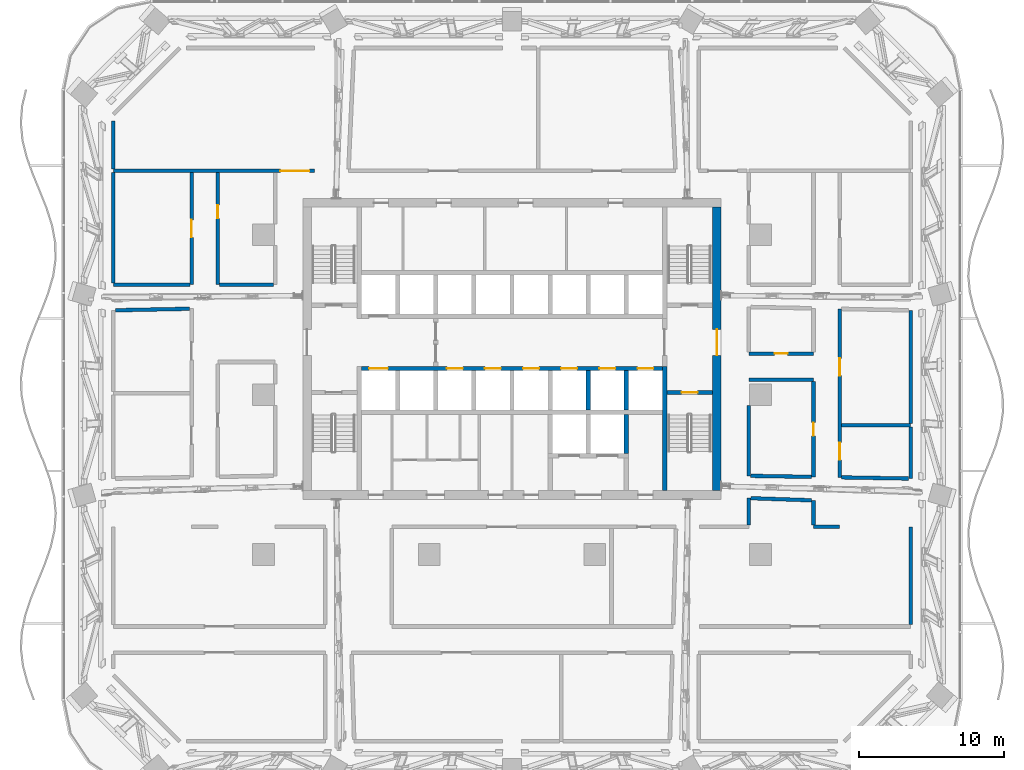
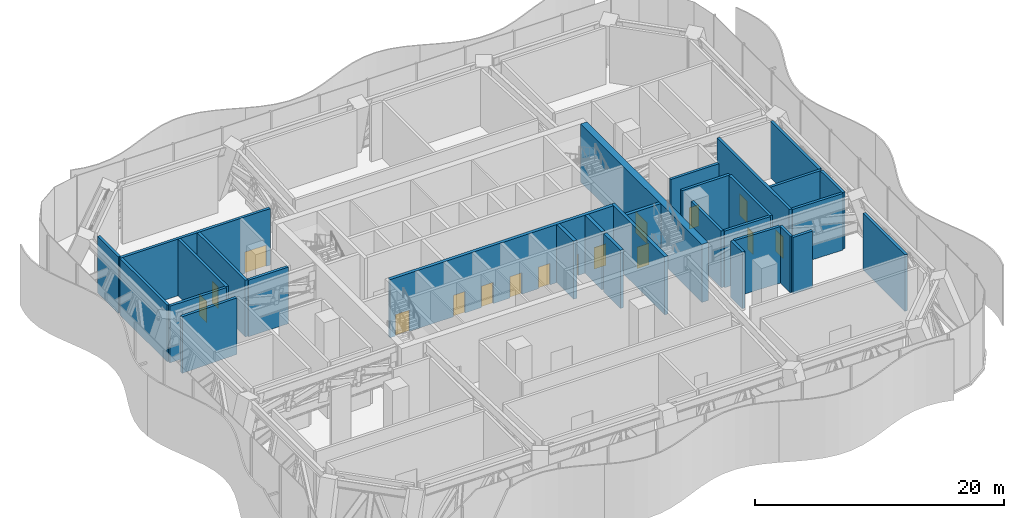
# One storey, part 12 of 32: 30 walls, 16 doors, 16 openings.
"""IFC4 building model written with IfcOpenShell, lengths in metres."""

from ifc_helpers import new_model, si_unit, direction, frame, frame_2d, origin, place, context, subcontext, project, spatial, rectangle, extrude, material, layer, layer_set, type_object, element, fill, save


model = new_model("IFC4")

# Units and contexts
model_context = context("Model", 3, precision=1e-05, world=origin(), true_north=direction((0.0, 1.0)))
body_context = subcontext(model_context, "Body", "Model", "MODEL_VIEW")
ifc_project = project(units=[si_unit("LENGTHUNIT", "METRE"), si_unit("AREAUNIT", "SQUARE_METRE"), si_unit("VOLUMEUNIT", "CUBIC_METRE"), si_unit("PLANEANGLEUNIT", "RADIAN"), si_unit("MASSUNIT", "GRAM", prefix="KILO")], contexts=[model_context])

# Site, building, storey
site_placement = place(None, origin())
site = spatial("IfcSite", under=ifc_project, at=site_placement, CompositionType="ELEMENT")
building_placement = place(site_placement, origin())
building = spatial("IfcBuilding", under=site, at=building_placement, Name="Mopane Tessera Tower", CompositionType="ELEMENT")
storey_placement = place(building_placement, frame((0.0, 0.0, 88.60009765625)))
storey = spatial("IfcBuildingStorey", under=building, at=storey_placement, Name="L17", CompositionType="ELEMENT", Elevation=88.60009765625)

# Wall, opening, door
ifc_material_1 = material(Name="Concrete C70/85", Category="concrete")
ifc_layer_1 = layer(ifc_material_1, 0.60009765625)
ifc_layer_set_1 = layer_set([ifc_layer_1], Name="Concrete C70/85")
wall_type_1 = type_object("IfcWallType", Name="Core shear wall 600 mm", PredefinedType="SHEAR", material=ifc_layer_set_1)
wall_1_placement = place(storey_placement, frame((14.10009765625, -6.60009765625, 0.0), z_axis=(0.0, 0.0, 1.0), x_axis=(0.0, 1.0, 0.0)))
wall_1 = element("IfcWall", 1, at=wall_1_placement, inside=storey, type_object=wall_type_1, Name="L17 Core wall east", PredefinedType="SHEAR", context=body_context, shape_type="SweptSolid", body=[
    extrude(rectangle(XDim=19.5, YDim=0.60009765625, at=frame_2d((9.75, 0.0))), origin(), (0.0, 0.0, 1.0), 5.699951171875),
])
opening_1_placement = place(wall_1_placement, frame((9.300048828125, 0.0, 0.0)))
opening_1 = element("IfcOpeningElement", 2, at=opening_1_placement, cuts=wall_1, Name="Opening SD2", PredefinedType="OPENING", context=body_context, shape_type="SweptSolid", body=[
    extrude(rectangle(XDim=1.800048828125, YDim=2.10009765625, at=frame_2d((0.89990234375, 1.050048828125))), frame((0.0, 0.31201171875, 0.0), z_axis=(0.0, -1.0, 0.0), x_axis=(1.0, 0.0, 0.0)), (0.0, 0.0, 1.0), 0.6240234375),
])
ifc_material_2 = material(Name="Steel fire door", Category="steel")
door_type_1 = type_object("IfcDoorType", Name="Core entrance double door 1800 x 2100", OperationType="DOUBLE_DOOR_SINGLE_SWING", PredefinedType="DOOR", material=ifc_material_2)
door_1_placement = place(opening_1_placement, origin())
door_1 = element("IfcDoor", 3, at=door_1_placement, inside=storey, type_object=door_type_1, Name="L17 Core entrance door east", OperationType="DOUBLE_DOOR_SINGLE_SWING", OverallHeight=2.10009765625, OverallWidth=1.800048828125, PredefinedType="DOOR", context=body_context, shape_type="SweptSolid", body=[
    extrude(rectangle(XDim=1.800048828125, YDim=2.10009765625, at=frame_2d((0.89990234375, 1.050048828125))), frame((0.0, 0.02490234375, 0.0), z_axis=(0.0, -1.0, 0.0), x_axis=(1.0, 0.0, 0.0)), (0.0, 0.0, 1.0), 0.050048828125),
])
fill(opening_1, door_1)

# Wall
ifc_material_3 = material(Name="Concrete C60/75", Category="concrete")
ifc_layer_2 = layer(ifc_material_3, 0.300048828125)
ifc_layer_set_2 = layer_set([ifc_layer_2], Name="Concrete C60/75")
wall_type_2 = type_object("IfcWallType", Name="Core spine wall 300 mm", PredefinedType="SHEAR", material=ifc_layer_set_2)
wall_2_placement = place(storey_placement, frame((10.5, -6.60009765625, 0.0), z_axis=(0.0, 0.0, 1.0), x_axis=(0.0, 1.0, 0.0)))
element("IfcWall", 4, at=wall_2_placement, inside=storey, type_object=wall_type_2, Name="L17 Core spine wall", PredefinedType="SHEAR", context=body_context, shape_type="SweptSolid", body=[
    extrude(rectangle(XDim=8.550048828125, YDim=0.300048828125, at=frame_2d((4.27490234375, 0.0))), origin(), (0.0, 0.0, 1.0), 5.699951171875),
])

# Wall, opening, door
ifc_material_4 = material(Name="Concrete C50/60", Category="concrete")
ifc_layer_3 = layer(ifc_material_4, 0.300048828125)
ifc_layer_set_3 = layer_set([ifc_layer_3], Name="Concrete C50/60")
wall_type_3 = type_object("IfcWallType", Name="Lift and stair shaft wall 300 mm", PredefinedType="SOLIDWALL", material=ifc_layer_set_3)
wall_3_placement = place(storey_placement, frame((10.64990234375, 0.14990234375, 0.0), z_axis=(0.0, 0.0, 1.0), x_axis=(1.0, 0.0, 0.0)))
wall_3 = element("IfcWall", 5, at=wall_3_placement, inside=storey, type_object=wall_type_3, Name="L17 Stair enclosure wall", PredefinedType="SOLIDWALL", context=body_context, shape_type="SweptSolid", body=[
    extrude(rectangle(XDim=3.150146484375, YDim=0.300048828125, at=frame_2d((1.5751953125, 0.0))), origin(), (0.0, 0.0, 1.0), 5.699951171875),
])
opening_2_placement = place(wall_3_placement, frame((1.02490234375, 0.0, 0.0)))
opening_2 = element("IfcOpeningElement", 6, at=opening_2_placement, cuts=wall_3, Name="Opening SD1", PredefinedType="OPENING", context=body_context, shape_type="SweptSolid", body=[
    extrude(rectangle(XDim=1.10009765625, YDim=2.10009765625, at=frame_2d((0.550048828125, 1.050048828125))), frame((0.0, 0.162109375, 0.0), z_axis=(0.0, -1.0, 0.0), x_axis=(1.0, 0.0, 0.0)), (0.0, 0.0, 1.0), 0.323974609375),
])
ifc_material_5 = material(Name="Steel fire door", Category="steel")
door_type_2 = type_object("IfcDoorType", Name="Stair fire door 1100 x 2100", OperationType="SINGLE_SWING_LEFT", PredefinedType="DOOR", material=ifc_material_5)
door_2_placement = place(opening_2_placement, origin())
door_2 = element("IfcDoor", 7, at=door_2_placement, inside=storey, type_object=door_type_2, Name="L17 Stair door ST3", OperationType="SINGLE_SWING_RIGHT", OverallHeight=2.10009765625, OverallWidth=1.10009765625, PredefinedType="DOOR", context=body_context, shape_type="SweptSolid", body=[
    extrude(rectangle(XDim=1.10009765625, YDim=2.10009765625, at=frame_2d((0.550048828125, 1.050048828125))), frame((0.0, 0.02490234375, 0.0), z_axis=(0.0, -1.0, 0.0), x_axis=(1.0, 0.0, 0.0)), (0.0, 0.0, 1.0), 0.050048828125),
])
fill(opening_2, door_2)

# Wall, openings, doors
wall_4_placement = place(storey_placement, frame((-10.35009765625, 1.800048828125, 0.0), z_axis=(0.0, 0.0, 1.0), x_axis=(1.0, 0.0, 0.0)))
wall_4 = element("IfcWall", 8, at=wall_4_placement, inside=storey, type_object=wall_type_3, Name="L17 Lift shaft front wall", PredefinedType="SOLIDWALL", context=body_context, shape_type="SweptSolid", body=[
    extrude(rectangle(XDim=20.7001953125, YDim=0.300048828125, at=frame_2d((10.35009765625, 0.0))), origin(), (0.0, 0.0, 1.0), 5.699951171875),
])
opening_3_placement = place(wall_4_placement, frame((0.512451171875, 0.0, 0.0)))
opening_3 = element("IfcOpeningElement", 9, at=opening_3_placement, cuts=wall_4, Name="Opening LD2", PredefinedType="OPENING", context=body_context, shape_type="SweptSolid", body=[
    extrude(rectangle(XDim=1.300048828125, YDim=2.10009765625, at=frame_2d((0.64990234375, 1.050048828125))), frame((0.0, 0.162109375, 0.0), z_axis=(0.0, -1.0, 0.0), x_axis=(1.0, 0.0, 0.0)), (0.0, 0.0, 1.0), 0.323974609375),
])
opening_4_placement = place(wall_4_placement, frame((5.862548828125, 0.0, 0.0)))
opening_4 = element("IfcOpeningElement", 10, at=opening_4_placement, cuts=wall_4, Name="Opening LD", PredefinedType="OPENING", context=body_context, shape_type="SweptSolid", body=[
    extrude(rectangle(XDim=1.10009765625, YDim=2.10009765625, at=frame_2d((0.550048828125, 1.050048828125))), frame((0.0, 0.162109375, 0.0), z_axis=(0.0, -1.0, 0.0), x_axis=(1.0, 0.0, 0.0)), (0.0, 0.0, 1.0), 0.323974609375),
])
opening_5_placement = place(wall_4_placement, frame((8.487548828125, 0.0, 0.0)))
opening_5 = element("IfcOpeningElement", 11, at=opening_5_placement, cuts=wall_4, Name="Opening LD", PredefinedType="OPENING", context=body_context, shape_type="SweptSolid", body=[
    extrude(rectangle(XDim=1.10009765625, YDim=2.10009765625, at=frame_2d((0.550048828125, 1.050048828125))), frame((0.0, 0.162109375, 0.0), z_axis=(0.0, -1.0, 0.0), x_axis=(1.0, 0.0, 0.0)), (0.0, 0.0, 1.0), 0.323974609375),
])
opening_6_placement = place(wall_4_placement, frame((11.112548828125, 0.0, 0.0)))
opening_6 = element("IfcOpeningElement", 12, at=opening_6_placement, cuts=wall_4, Name="Opening LD", PredefinedType="OPENING", context=body_context, shape_type="SweptSolid", body=[
    extrude(rectangle(XDim=1.10009765625, YDim=2.10009765625, at=frame_2d((0.550048828125, 1.050048828125))), frame((0.0, 0.162109375, 0.0), z_axis=(0.0, -1.0, 0.0), x_axis=(1.0, 0.0, 0.0)), (0.0, 0.0, 1.0), 0.323974609375),
])
opening_7_placement = place(wall_4_placement, frame((13.737548828125, 0.0, 0.0)))
opening_7 = element("IfcOpeningElement", 13, at=opening_7_placement, cuts=wall_4, Name="Opening LD", PredefinedType="OPENING", context=body_context, shape_type="SweptSolid", body=[
    extrude(rectangle(XDim=1.10009765625, YDim=2.10009765625, at=frame_2d((0.550048828125, 1.050048828125))), frame((0.0, 0.162109375, 0.0), z_axis=(0.0, -1.0, 0.0), x_axis=(1.0, 0.0, 0.0)), (0.0, 0.0, 1.0), 0.323974609375),
])
opening_8_placement = place(wall_4_placement, frame((16.362548828125, 0.0, 0.0)))
opening_8 = element("IfcOpeningElement", 14, at=opening_8_placement, cuts=wall_4, Name="Opening LD", PredefinedType="OPENING", context=body_context, shape_type="SweptSolid", body=[
    extrude(rectangle(XDim=1.10009765625, YDim=2.10009765625, at=frame_2d((0.550048828125, 1.050048828125))), frame((0.0, 0.162109375, 0.0), z_axis=(0.0, -1.0, 0.0), x_axis=(1.0, 0.0, 0.0)), (0.0, 0.0, 1.0), 0.323974609375),
])
opening_9_placement = place(wall_4_placement, frame((18.987548828125, 0.0, 0.0)))
opening_9 = element("IfcOpeningElement", 15, at=opening_9_placement, cuts=wall_4, Name="Opening LD", PredefinedType="OPENING", context=body_context, shape_type="SweptSolid", body=[
    extrude(rectangle(XDim=1.10009765625, YDim=2.10009765625, at=frame_2d((0.550048828125, 1.050048828125))), frame((0.0, 0.162109375, 0.0), z_axis=(0.0, -1.0, 0.0), x_axis=(1.0, 0.0, 0.0)), (0.0, 0.0, 1.0), 0.323974609375),
])
ifc_material_6 = material(Name="Stainless steel sliding door", Category="steel")
door_type_3 = type_object("IfcDoorType", Name="Fire-fighting lift landing door 1300 x 2100", OperationType="DOUBLE_DOOR_SLIDING", PredefinedType="DOOR", material=ifc_material_6)
door_3_placement = place(opening_3_placement, origin())
door_3 = element("IfcDoor", 16, at=door_3_placement, inside=storey, type_object=door_type_3, Name="L17 Lift landing door FF1", OperationType="DOUBLE_DOOR_SLIDING", OverallHeight=2.10009765625, OverallWidth=1.300048828125, PredefinedType="DOOR", context=body_context, shape_type="SweptSolid", body=[
    extrude(rectangle(XDim=1.300048828125, YDim=2.10009765625, at=frame_2d((0.64990234375, 1.050048828125))), frame((0.0, 0.02490234375, 0.0), z_axis=(0.0, -1.0, 0.0), x_axis=(1.0, 0.0, 0.0)), (0.0, 0.0, 1.0), 0.050048828125),
])
fill(opening_3, door_3)
ifc_material_7 = material(Name="Stainless steel sliding door", Category="steel")
door_type_4 = type_object("IfcDoorType", Name="Lift landing door 1100 x 2100", OperationType="DOUBLE_DOOR_SLIDING", PredefinedType="DOOR", material=ifc_material_7)
door_4_placement = place(opening_4_placement, origin())
door_4 = element("IfcDoor", 17, at=door_4_placement, inside=storey, type_object=door_type_4, Name="L17 Lift landing door LR1", OperationType="DOUBLE_DOOR_SLIDING", OverallHeight=2.10009765625, OverallWidth=1.10009765625, PredefinedType="DOOR", context=body_context, shape_type="SweptSolid", body=[
    extrude(rectangle(XDim=1.10009765625, YDim=2.10009765625, at=frame_2d((0.550048828125, 1.050048828125))), frame((0.0, 0.02490234375, 0.0), z_axis=(0.0, -1.0, 0.0), x_axis=(1.0, 0.0, 0.0)), (0.0, 0.0, 1.0), 0.050048828125),
])
fill(opening_4, door_4)
door_5_placement = place(opening_5_placement, origin())
door_5 = element("IfcDoor", 18, at=door_5_placement, inside=storey, type_object=door_type_4, Name="L17 Lift landing door LR2", OperationType="DOUBLE_DOOR_SLIDING", OverallHeight=2.10009765625, OverallWidth=1.10009765625, PredefinedType="DOOR", context=body_context, shape_type="SweptSolid", body=[
    extrude(rectangle(XDim=1.10009765625, YDim=2.10009765625, at=frame_2d((0.550048828125, 1.050048828125))), frame((0.0, 0.02490234375, 0.0), z_axis=(0.0, -1.0, 0.0), x_axis=(1.0, 0.0, 0.0)), (0.0, 0.0, 1.0), 0.050048828125),
])
fill(opening_5, door_5)
door_6_placement = place(opening_6_placement, origin())
door_6 = element("IfcDoor", 19, at=door_6_placement, inside=storey, type_object=door_type_4, Name="L17 Lift landing door LR3", OperationType="DOUBLE_DOOR_SLIDING", OverallHeight=2.10009765625, OverallWidth=1.10009765625, PredefinedType="DOOR", context=body_context, shape_type="SweptSolid", body=[
    extrude(rectangle(XDim=1.10009765625, YDim=2.10009765625, at=frame_2d((0.550048828125, 1.050048828125))), frame((0.0, 0.02490234375, 0.0), z_axis=(0.0, -1.0, 0.0), x_axis=(1.0, 0.0, 0.0)), (0.0, 0.0, 1.0), 0.050048828125),
])
fill(opening_6, door_6)
door_7_placement = place(opening_7_placement, origin())
door_7 = element("IfcDoor", 20, at=door_7_placement, inside=storey, type_object=door_type_4, Name="L17 Lift landing door LR4", OperationType="DOUBLE_DOOR_SLIDING", OverallHeight=2.10009765625, OverallWidth=1.10009765625, PredefinedType="DOOR", context=body_context, shape_type="SweptSolid", body=[
    extrude(rectangle(XDim=1.10009765625, YDim=2.10009765625, at=frame_2d((0.550048828125, 1.050048828125))), frame((0.0, 0.02490234375, 0.0), z_axis=(0.0, -1.0, 0.0), x_axis=(1.0, 0.0, 0.0)), (0.0, 0.0, 1.0), 0.050048828125),
])
fill(opening_7, door_7)
door_8_placement = place(opening_8_placement, origin())
door_8 = element("IfcDoor", 21, at=door_8_placement, inside=storey, type_object=door_type_4, Name="L17 Lift landing door LR5", OperationType="DOUBLE_DOOR_SLIDING", OverallHeight=2.10009765625, OverallWidth=1.10009765625, PredefinedType="DOOR", context=body_context, shape_type="SweptSolid", body=[
    extrude(rectangle(XDim=1.10009765625, YDim=2.10009765625, at=frame_2d((0.550048828125, 1.050048828125))), frame((0.0, 0.02490234375, 0.0), z_axis=(0.0, -1.0, 0.0), x_axis=(1.0, 0.0, 0.0)), (0.0, 0.0, 1.0), 0.050048828125),
])
fill(opening_8, door_8)
door_9_placement = place(opening_9_placement, origin())
door_9 = element("IfcDoor", 22, at=door_9_placement, inside=storey, type_object=door_type_4, Name="L17 Lift landing door LR6", OperationType="DOUBLE_DOOR_SLIDING", OverallHeight=2.10009765625, OverallWidth=1.10009765625, PredefinedType="DOOR", context=body_context, shape_type="SweptSolid", body=[
    extrude(rectangle(XDim=1.10009765625, YDim=2.10009765625, at=frame_2d((0.550048828125, 1.050048828125))), frame((0.0, 0.02490234375, 0.0), z_axis=(0.0, -1.0, 0.0), x_axis=(1.0, 0.0, 0.0)), (0.0, 0.0, 1.0), 0.050048828125),
])
fill(opening_9, door_9)

# Walls
for number, where, z_axis, x_axis, name in (
    (23, (5.25, -1.050048828125, 0.0), (0.0, 0.0, 1.0), (0.0, 1.0, 0.0), "L17 Lift shaft wall"),
    (24, (7.875, -1.050048828125, 0.0), (0.0, 0.0, 1.0), (0.0, 1.0, 0.0), "L17 Lift shaft wall"),
    (25, (7.875, -4.050048828125, 0.0), (0.0, 0.0, 1.0), (0.0, 1.0, 0.0), "L17 Lift shaft wall"),
):
    element("IfcWall", number, at=place(storey_placement, frame(where, z_axis=z_axis, x_axis=x_axis)), inside=storey, type_object=wall_type_3, Name=name, PredefinedType="SOLIDWALL", context=body_context, shape_type="SweptSolid", body=[
        extrude(rectangle(XDim=2.699951171875, YDim=0.300048828125, at=frame_2d((1.35009765625, 0.0))), origin(), (0.0, 0.0, 1.0), 5.699951171875),
    ])
ifc_material_8 = material(Name="Plastered concrete blockwork C20/25", Category="masonry")
ifc_layer_4 = layer(ifc_material_8, 0.25)
ifc_layer_set_4 = layer_set([ifc_layer_4], Name="Plastered concrete blockwork C20/25")
wall_type_4 = type_object("IfcWallType", Name="Plastered blockwork wall 250, rated EI 120", PredefinedType="PARTITIONING", material=ifc_layer_set_4)
wall_5_placement = place(storey_placement, frame((20.75, -9.10009765625, 0.0), z_axis=(0.0, 0.0, 1.0), x_axis=(1.0, 0.0, 0.0)))
element("IfcWall", 26, at=wall_5_placement, inside=storey, type_object=wall_type_4, Name="Partition L17:015", PredefinedType="PARTITIONING", context=body_context, shape_type="SweptSolid", body=[
    extrude(rectangle(XDim=1.800048828125, YDim=0.25, at=frame_2d((0.89990234375, 0.0))), origin(), (0.0, 0.0, 1.0), 5.5498046875),
])
wall_6_placement = place(storey_placement, frame((22.675048828125, -2.10009765625, 0.0), z_axis=(0.0, 0.0, 1.0), x_axis=(1.0, 0.0, 0.0)))
element("IfcWall", 27, at=wall_6_placement, inside=storey, type_object=wall_type_4, Name="Partition L17:016", PredefinedType="PARTITIONING", context=body_context, shape_type="SweptSolid", body=[
    extrude(rectangle(XDim=4.7548828125, YDim=0.25, at=frame_2d((2.37744140625, 0.0))), origin(), (0.0, 0.0, 1.0), 5.5498046875),
])
wall_7_placement = place(storey_placement, frame((16.300048828125, 1.02490234375, 0.0), z_axis=(0.0, 0.0, 1.0), x_axis=(1.0, 0.0, 0.0)))
element("IfcWall", 28, at=wall_7_placement, inside=storey, type_object=wall_type_4, Name="Partition L17:018", PredefinedType="PARTITIONING", context=body_context, shape_type="SweptSolid", body=[
    extrude(rectangle(XDim=4.449951171875, YDim=0.25, at=frame_2d((2.22509765625, 0.0))), origin(), (0.0, 0.0, 1.0), 5.5498046875),
])

# Wall, opening, door
wall_8_placement = place(storey_placement, frame((16.300048828125, 2.824951171875, 0.0), z_axis=(0.0, 0.0, 1.0), x_axis=(1.0, 0.0, 0.0)))
wall_8 = element("IfcWall", 29, at=wall_8_placement, inside=storey, type_object=wall_type_4, Name="Partition L17:020", PredefinedType="PARTITIONING", context=body_context, shape_type="SweptSolid", body=[
    extrude(rectangle(XDim=4.449951171875, YDim=0.25, at=frame_2d((2.22509765625, 0.0))), origin(), (0.0, 0.0, 1.0), 5.5498046875),
])
opening_10_placement = place(wall_8_placement, frame((1.77490234375, 0.0, 0.0)))
opening_10 = element("IfcOpeningElement", 30, at=opening_10_placement, cuts=wall_8, Name="Opening L17-11", PredefinedType="OPENING", context=body_context, shape_type="SweptSolid", body=[
    extrude(rectangle(XDim=0.89990234375, YDim=2.10009765625, at=frame_2d((0.449951171875, 1.050048828125))), frame((0.0, 0.136962890625, 0.0), z_axis=(0.0, -1.0, 0.0), x_axis=(1.0, 0.0, 0.0)), (0.0, 0.0, 1.0), 0.27392578125),
])
ifc_material_9 = material(Name="Timber veneered steel-framed fire door", Category="steel")
door_type_5 = type_object("IfcDoorType", Name="Fire door FD120 900 x 2100", OperationType="SINGLE_SWING_LEFT", PredefinedType="DOOR", material=ifc_material_9)
door_10_placement = place(opening_10_placement, origin())
door_10 = element("IfcDoor", 31, at=door_10_placement, inside=storey, type_object=door_type_5, Name="Door L17-11", ObjectType="D10B", OperationType="SINGLE_SWING_LEFT", OverallHeight=2.10009765625, OverallWidth=0.89990234375, PredefinedType="DOOR", context=body_context, shape_type="SweptSolid", body=[
    extrude(rectangle(XDim=0.89990234375, YDim=2.10009765625, at=frame_2d((0.449951171875, 1.050048828125))), frame((0.0, 0.02490234375, 0.0), z_axis=(0.0, -1.0, 0.0), x_axis=(1.0, 0.0, 0.0)), (0.0, 0.0, 1.0), 0.050048828125),
])
fill(opening_10, door_10)

# Walls
wall_9_placement = place(storey_placement, frame((-27.429931640625, 7.574951171875, 0.0), z_axis=(0.0, 0.0, 1.0), x_axis=(1.0, 0.0, 0.0)))
element("IfcWall", 32, at=wall_9_placement, inside=storey, type_object=wall_type_4, Name="Partition L17:021", PredefinedType="PARTITIONING", context=body_context, shape_type="SweptSolid", body=[
    extrude(rectangle(XDim=5.2548828125, YDim=0.25, at=frame_2d((2.62744140625, 0.0))), origin(), (0.0, 0.0, 1.0), 5.5498046875),
])
wall_10_placement = place(storey_placement, frame((-20.125, 7.574951171875, 0.0), z_axis=(0.0, 0.0, 1.0), x_axis=(1.0, 0.0, 0.0)))
element("IfcWall", 33, at=wall_10_placement, inside=storey, type_object=wall_type_4, Name="Partition L17:022", PredefinedType="PARTITIONING", context=body_context, shape_type="SweptSolid", body=[
    extrude(rectangle(XDim=3.699951171875, YDim=0.25, at=frame_2d((1.85009765625, 0.0))), origin(), (0.0, 0.0, 1.0), 5.5498046875),
])

# Wall, opening, door
wall_11_placement = place(storey_placement, frame((-27.429931640625, 15.39990234375, 0.0), z_axis=(0.0, 0.0, 1.0), x_axis=(1.0, 0.0, 0.0)))
wall_11 = element("IfcWall", 34, at=wall_11_placement, inside=storey, type_object=wall_type_4, Name="Partition L17:025", PredefinedType="PARTITIONING", context=body_context, shape_type="SweptSolid", body=[
    extrude(rectangle(XDim=13.849853515625, YDim=0.25, at=frame_2d((6.9248046875, 0.0))), origin(), (0.0, 0.0, 1.0), 5.5498046875),
])
opening_11_placement = place(wall_11_placement, frame((11.489990234375, 0.0, 0.0)))
opening_11 = element("IfcOpeningElement", 35, at=opening_11_placement, cuts=wall_11, Name="Opening L17-12", PredefinedType="OPENING", context=body_context, shape_type="SweptSolid", body=[
    extrude(rectangle(XDim=2.0, YDim=2.10009765625, at=frame_2d((1.0, 1.050048828125))), frame((0.0, 0.136962890625, 0.0), z_axis=(0.0, -1.0, 0.0), x_axis=(1.0, 0.0, 0.0)), (0.0, 0.0, 1.0), 0.27392578125),
])
ifc_material_10 = material(Name="Timber veneered steel-framed fire door", Category="steel")
door_type_6 = type_object("IfcDoorType", Name="Fire door pair FD120 2000 x 2100", OperationType="DOUBLE_DOOR_SINGLE_SWING", PredefinedType="DOOR", material=ifc_material_10)
door_11_placement = place(opening_11_placement, origin())
door_11 = element("IfcDoor", 36, at=door_11_placement, inside=storey, type_object=door_type_6, Name="Door L17-12", ObjectType="D25B", OperationType="DOUBLE_DOOR_SINGLE_SWING", OverallHeight=2.10009765625, OverallWidth=2.0, PredefinedType="DOOR", context=body_context, shape_type="SweptSolid", body=[
    extrude(rectangle(XDim=2.0, YDim=2.10009765625, at=frame_2d((1.0, 1.050048828125))), frame((0.0, 0.02490234375, 0.0), z_axis=(0.0, -1.0, 0.0), x_axis=(1.0, 0.0, 0.0)), (0.0, 0.0, 1.0), 0.050048828125),
])
fill(opening_11, door_11)

# Walls
wall_12_placement = place(storey_placement, frame((-27.429931640625, 7.699951171875, 0.0), z_axis=(0.0, 0.0, 1.0), x_axis=(0.0, 1.0, 0.0)))
element("IfcWall", 37, at=wall_12_placement, inside=storey, type_object=wall_type_4, Name="Partition L17:038", PredefinedType="PARTITIONING", context=body_context, shape_type="SweptSolid", body=[
    extrude(rectangle(XDim=7.574951171875, YDim=0.25, at=frame_2d((3.78759765625, 0.0))), origin(), (0.0, 0.0, 1.0), 5.5498046875),
])
wall_13_placement = place(storey_placement, frame((-27.429931640625, 15.52490234375, 0.0), z_axis=(0.0, 0.0, 1.0), x_axis=(0.0, 1.0, 0.0)))
element("IfcWall", 38, at=wall_13_placement, inside=storey, type_object=wall_type_4, Name="Partition L17:039", PredefinedType="PARTITIONING", context=body_context, shape_type="SweptSolid", body=[
    extrude(rectangle(XDim=3.3251953125, YDim=0.25, at=frame_2d((1.66259765625, 0.0))), origin(), (0.0, 0.0, 1.0), 5.5498046875),
])

# Wall, opening, door
wall_14_placement = place(storey_placement, frame((-22.050048828125, 7.574951171875, 0.0), z_axis=(0.0, 0.0, 1.0), x_axis=(0.0, 1.0, 0.0)))
wall_14 = element("IfcWall", 39, at=wall_14_placement, inside=storey, type_object=wall_type_4, Name="Partition L17:041", PredefinedType="PARTITIONING", context=body_context, shape_type="SweptSolid", body=[
    extrude(rectangle(XDim=7.699951171875, YDim=0.25, at=frame_2d((3.85009765625, 0.0))), origin(), (0.0, 0.0, 1.0), 5.5498046875),
])
opening_12_placement = place(wall_14_placement, frame((3.25, 0.0, 0.0)))
opening_12 = element("IfcOpeningElement", 40, at=opening_12_placement, cuts=wall_14, Name="Opening L17-01", PredefinedType="OPENING", context=body_context, shape_type="SweptSolid", body=[
    extrude(rectangle(XDim=1.199951171875, YDim=2.10009765625, at=frame_2d((0.60009765625, 1.050048828125))), frame((0.0, 0.136962890625, 0.0), z_axis=(0.0, -1.0, 0.0), x_axis=(1.0, 0.0, 0.0)), (0.0, 0.0, 1.0), 0.27392578125),
])
ifc_material_11 = material(Name="Timber veneered steel-framed fire door", Category="steel")
door_type_7 = type_object("IfcDoorType", Name="Fire door FD120 1200 x 2100", OperationType="SINGLE_SWING_LEFT", PredefinedType="DOOR", material=ifc_material_11)
door_12_placement = place(opening_12_placement, origin())
door_12 = element("IfcDoor", 41, at=door_12_placement, inside=storey, type_object=door_type_7, Name="Door L17-01", ObjectType="D15B", OperationType="SINGLE_SWING_LEFT", OverallHeight=2.10009765625, OverallWidth=1.199951171875, PredefinedType="DOOR", context=body_context, shape_type="SweptSolid", body=[
    extrude(rectangle(XDim=1.199951171875, YDim=2.10009765625, at=frame_2d((0.60009765625, 1.050048828125))), frame((0.0, 0.02490234375, 0.0), z_axis=(0.0, -1.0, 0.0), x_axis=(1.0, 0.0, 0.0)), (0.0, 0.0, 1.0), 0.050048828125),
])
fill(opening_12, door_12)

wall_15_placement = place(storey_placement, frame((-20.25, 7.574951171875, 0.0), z_axis=(0.0, 0.0, 1.0), x_axis=(0.0, 1.0, 0.0)))
wall_15 = element("IfcWall", 42, at=wall_15_placement, inside=storey, type_object=wall_type_4, Name="Partition L17:043", PredefinedType="PARTITIONING", context=body_context, shape_type="SweptSolid", body=[
    extrude(rectangle(XDim=7.699951171875, YDim=0.25, at=frame_2d((3.85009765625, 0.0))), origin(), (0.0, 0.0, 1.0), 5.5498046875),
])
opening_13_placement = place(wall_15_placement, frame((4.56494140625, 0.0, 0.0)))
opening_13 = element("IfcOpeningElement", 43, at=opening_13_placement, cuts=wall_15, Name="Opening L17-18", PredefinedType="OPENING", context=body_context, shape_type="SweptSolid", body=[
    extrude(rectangle(XDim=0.89990234375, YDim=2.10009765625, at=frame_2d((0.449951171875, 1.050048828125))), frame((0.0, 0.136962890625, 0.0), z_axis=(0.0, -1.0, 0.0), x_axis=(1.0, 0.0, 0.0)), (0.0, 0.0, 1.0), 0.27392578125),
])
door_13_placement = place(opening_13_placement, origin())
door_13 = element("IfcDoor", 44, at=door_13_placement, inside=storey, type_object=door_type_5, Name="Door L17-18", ObjectType="D10B", OperationType="SINGLE_SWING_LEFT", OverallHeight=2.10009765625, OverallWidth=0.89990234375, PredefinedType="DOOR", context=body_context, shape_type="SweptSolid", body=[
    extrude(rectangle(XDim=0.89990234375, YDim=2.10009765625, at=frame_2d((0.449951171875, 1.050048828125))), frame((0.0, 0.02490234375, 0.0), z_axis=(0.0, -1.0, 0.0), x_axis=(1.0, 0.0, 0.0)), (0.0, 0.0, 1.0), 0.050048828125),
])
fill(opening_13, door_13)

# Walls
wall_16_placement = place(storey_placement, frame((16.300048828125, -8.97509765625, 0.0), z_axis=(0.0, 0.0, 1.0), x_axis=(0.0, 1.0, 0.0)))
element("IfcWall", 45, at=wall_16_placement, inside=storey, type_object=wall_type_4, Name="Partition L17:056", PredefinedType="PARTITIONING", context=body_context, shape_type="SweptSolid", body=[
    extrude(rectangle(XDim=1.85498046875, YDim=0.25, at=frame_2d((0.927490234375, 0.0))), origin(), (0.0, 0.0, 1.0), 5.5498046875),
])
wall_17_placement = place(storey_placement, frame((16.300048828125, -5.5849609375, 0.0), z_axis=(0.0, 0.0, 1.0), x_axis=(0.0, 1.0, 0.0)))
element("IfcWall", 46, at=wall_17_placement, inside=storey, type_object=wall_type_4, Name="Partition L17:057", PredefinedType="PARTITIONING", context=body_context, shape_type="SweptSolid", body=[
    extrude(rectangle(XDim=4.8349609375, YDim=0.25, at=frame_2d((2.41748046875, 0.0))), origin(), (0.0, 0.0, 1.0), 5.5498046875),
])
wall_18_placement = place(storey_placement, frame((20.75, -8.97509765625, 0.0), z_axis=(0.0, 0.0, 1.0), x_axis=(0.0, 1.0, 0.0)))
element("IfcWall", 47, at=wall_18_placement, inside=storey, type_object=wall_type_4, Name="Partition L17:061", PredefinedType="PARTITIONING", context=body_context, shape_type="SweptSolid", body=[
    extrude(rectangle(XDim=1.7001953125, YDim=0.25, at=frame_2d((0.85009765625, 0.0))), origin(), (0.0, 0.0, 1.0), 5.5498046875),
])

# Wall, opening, door
wall_19_placement = place(storey_placement, frame((20.75, -5.659912109375, 0.0), z_axis=(0.0, 0.0, 1.0), x_axis=(0.0, 1.0, 0.0)))
wall_19 = element("IfcWall", 48, at=wall_19_placement, inside=storey, type_object=wall_type_4, Name="Partition L17:062", PredefinedType="PARTITIONING", context=body_context, shape_type="SweptSolid", body=[
    extrude(rectangle(XDim=6.559814453125, YDim=0.25, at=frame_2d((3.27978515625, 0.0))), origin(), (0.0, 0.0, 1.0), 5.5498046875),
])
opening_14_placement = place(wall_19_placement, frame((2.830078125, 0.0, 0.0)))
opening_14 = element("IfcOpeningElement", 49, at=opening_14_placement, cuts=wall_19, Name="Opening L17-14", PredefinedType="OPENING", context=body_context, shape_type="SweptSolid", body=[
    extrude(rectangle(XDim=0.89990234375, YDim=2.10009765625, at=frame_2d((0.449951171875, 1.050048828125))), frame((0.0, 0.136962890625, 0.0), z_axis=(0.0, -1.0, 0.0), x_axis=(1.0, 0.0, 0.0)), (0.0, 0.0, 1.0), 0.27392578125),
])
door_14_placement = place(opening_14_placement, origin())
door_14 = element("IfcDoor", 50, at=door_14_placement, inside=storey, type_object=door_type_5, Name="Door L17-14", ObjectType="D10B", OperationType="SINGLE_SWING_RIGHT", OverallHeight=2.10009765625, OverallWidth=0.89990234375, PredefinedType="DOOR", context=body_context, shape_type="SweptSolid", body=[
    extrude(rectangle(XDim=0.89990234375, YDim=2.10009765625, at=frame_2d((0.449951171875, 1.050048828125))), frame((0.0, 0.02490234375, 0.0), z_axis=(0.0, -1.0, 0.0), x_axis=(1.0, 0.0, 0.0)), (0.0, 0.0, 1.0), 0.050048828125),
])
fill(opening_14, door_14)

# Wall, openings, doors
wall_20_placement = place(storey_placement, frame((22.550048828125, -5.68994140625, 0.0), z_axis=(0.0, 0.0, 1.0), x_axis=(0.0, 1.0, 0.0)))
wall_20 = element("IfcWall", 51, at=wall_20_placement, inside=storey, type_object=wall_type_4, Name="Partition L17:065", PredefinedType="PARTITIONING", context=body_context, shape_type="SweptSolid", body=[
    extrude(rectangle(XDim=11.594970703125, YDim=0.25, at=frame_2d((5.79736328125, 0.0))), origin(), (0.0, 0.0, 1.0), 5.5498046875),
])
opening_15_placement = place(wall_20_placement, frame((1.195068359375, 0.0, 0.0)))
opening_15 = element("IfcOpeningElement", 52, at=opening_15_placement, cuts=wall_20, Name="Opening L17-05", PredefinedType="OPENING", context=body_context, shape_type="SweptSolid", body=[
    extrude(rectangle(XDim=1.199951171875, YDim=2.10009765625, at=frame_2d((0.60009765625, 1.050048828125))), frame((0.0, 0.136962890625, 0.0), z_axis=(0.0, -1.0, 0.0), x_axis=(1.0, 0.0, 0.0)), (0.0, 0.0, 1.0), 0.27392578125),
])
opening_16_placement = place(wall_20_placement, frame((6.992431640625, 0.0, 0.0)))
opening_16 = element("IfcOpeningElement", 53, at=opening_16_placement, cuts=wall_20, Name="Opening L17-06", PredefinedType="OPENING", context=body_context, shape_type="SweptSolid", body=[
    extrude(rectangle(XDim=1.199951171875, YDim=2.10009765625, at=frame_2d((0.60009765625, 1.050048828125))), frame((0.0, 0.136962890625, 0.0), z_axis=(0.0, -1.0, 0.0), x_axis=(1.0, 0.0, 0.0)), (0.0, 0.0, 1.0), 0.27392578125),
])
door_15_placement = place(opening_15_placement, origin())
door_15 = element("IfcDoor", 54, at=door_15_placement, inside=storey, type_object=door_type_7, Name="Door L17-05", ObjectType="D15B", OperationType="SINGLE_SWING_RIGHT", OverallHeight=2.10009765625, OverallWidth=1.199951171875, PredefinedType="DOOR", context=body_context, shape_type="SweptSolid", body=[
    extrude(rectangle(XDim=1.199951171875, YDim=2.10009765625, at=frame_2d((0.60009765625, 1.050048828125))), frame((0.0, 0.02490234375, 0.0), z_axis=(0.0, -1.0, 0.0), x_axis=(1.0, 0.0, 0.0)), (0.0, 0.0, 1.0), 0.050048828125),
])
fill(opening_15, door_15)
door_16_placement = place(opening_16_placement, origin())
door_16 = element("IfcDoor", 55, at=door_16_placement, inside=storey, type_object=door_type_7, Name="Door L17-06", ObjectType="D15B", OperationType="SINGLE_SWING_LEFT", OverallHeight=2.10009765625, OverallWidth=1.199951171875, PredefinedType="DOOR", context=body_context, shape_type="SweptSolid", body=[
    extrude(rectangle(XDim=1.199951171875, YDim=2.10009765625, at=frame_2d((0.60009765625, 1.050048828125))), frame((0.0, 0.02490234375, 0.0), z_axis=(0.0, -1.0, 0.0), x_axis=(1.0, 0.0, 0.0)), (0.0, 0.0, 1.0), 0.050048828125),
])
fill(opening_16, door_16)

# Walls
wall_21_placement = place(storey_placement, frame((27.429931640625, -15.824951171875, 0.0), z_axis=(0.0, 0.0, 1.0), x_axis=(0.0, 1.0, 0.0)))
element("IfcWall", 56, at=wall_21_placement, inside=storey, type_object=wall_type_4, Name="Partition L17:068", PredefinedType="PARTITIONING", context=body_context, shape_type="SweptSolid", body=[
    extrude(rectangle(XDim=6.724853515625, YDim=0.25, at=frame_2d((3.3623046875, 0.0))), origin(), (0.0, 0.0, 1.0), 5.5498046875),
])
wall_22_placement = place(storey_placement, frame((27.429931640625, -5.77490234375, 0.0), z_axis=(0.0, 0.0, 1.0), x_axis=(0.0, 1.0, 0.0)))
element("IfcWall", 57, at=wall_22_placement, inside=storey, type_object=wall_type_4, Name="Partition L17:069", PredefinedType="PARTITIONING", context=body_context, shape_type="SweptSolid", body=[
    extrude(rectangle(XDim=3.5498046875, YDim=0.25, at=frame_2d((1.77490234375, 0.0))), origin(), (0.0, 0.0, 1.0), 5.5498046875),
])
wall_23_placement = place(storey_placement, frame((27.429931640625, -1.97509765625, 0.0), z_axis=(0.0, 0.0, 1.0), x_axis=(0.0, 1.0, 0.0)))
element("IfcWall", 58, at=wall_23_placement, inside=storey, type_object=wall_type_4, Name="Partition L17:070", PredefinedType="PARTITIONING", context=body_context, shape_type="SweptSolid", body=[
    extrude(rectangle(XDim=7.780029296875, YDim=0.25, at=frame_2d((3.89013671875, 0.0))), origin(), (0.0, 0.0, 1.0), 5.5498046875),
])
wall_24_placement = place(storey_placement, frame((-27.300048828125, 5.80810546875, 0.0), z_axis=(0.0, 0.0, 1.0), x_axis=(0.999793758939, 0.020308608683, 0.0)))
element("IfcWall", 59, at=wall_24_placement, inside=storey, type_object=wall_type_4, Name="Partition L17:073", PredefinedType="PARTITIONING", context=body_context, shape_type="SweptSolid", body=[
    extrude(rectangle(XDim=5.12109375, YDim=0.25, at=frame_2d((2.560546875, 0.0))), origin(), (0.0, 0.0, 1.0), 5.5498046875),
])
wall_25_placement = place(storey_placement, frame((27.300048828125, -5.77294921875, 0.0), z_axis=(0.0, 0.0, 1.0), x_axis=(-0.99984614201, 0.017541160386, 0.0)))
element("IfcWall", 60, at=wall_25_placement, inside=storey, type_object=wall_type_4, Name="Partition L17:076", PredefinedType="PARTITIONING", context=body_context, shape_type="SweptSolid", body=[
    extrude(rectangle(XDim=4.620849609375, YDim=0.25, at=frame_2d((2.310546875, 0.0))), origin(), (0.0, 0.0, 1.0), 5.5498046875),
])
wall_26_placement = place(storey_placement, frame((20.6201171875, -5.657958984375, 0.0), z_axis=(0.0, 0.0, 1.0), x_axis=(-0.999856293652, 0.016952641231, 0.0)))
element("IfcWall", 61, at=wall_26_placement, inside=storey, type_object=wall_type_4, Name="Partition L17:082", PredefinedType="PARTITIONING", context=body_context, shape_type="SweptSolid", body=[
    extrude(rectangle(XDim=4.190673828125, YDim=0.25, at=frame_2d((2.09521484375, 0.0))), origin(), (0.0, 0.0, 1.0), 5.5498046875),
])
wall_27_placement = place(storey_placement, frame((16.429931640625, -7.125, 0.0), z_axis=(0.0, 0.0, 1.0), x_axis=(0.99940163449, -0.034588625001, 0.0)))
element("IfcWall", 62, at=wall_27_placement, inside=storey, type_object=wall_type_4, Name="Partition L17:089", PredefinedType="PARTITIONING", context=body_context, shape_type="SweptSolid", body=[
    extrude(rectangle(XDim=4.192626953125, YDim=0.25, at=frame_2d((2.09619140625, 0.0))), origin(), (0.0, 0.0, 1.0), 5.5498046875),
])

save(model, "model.ifc")
